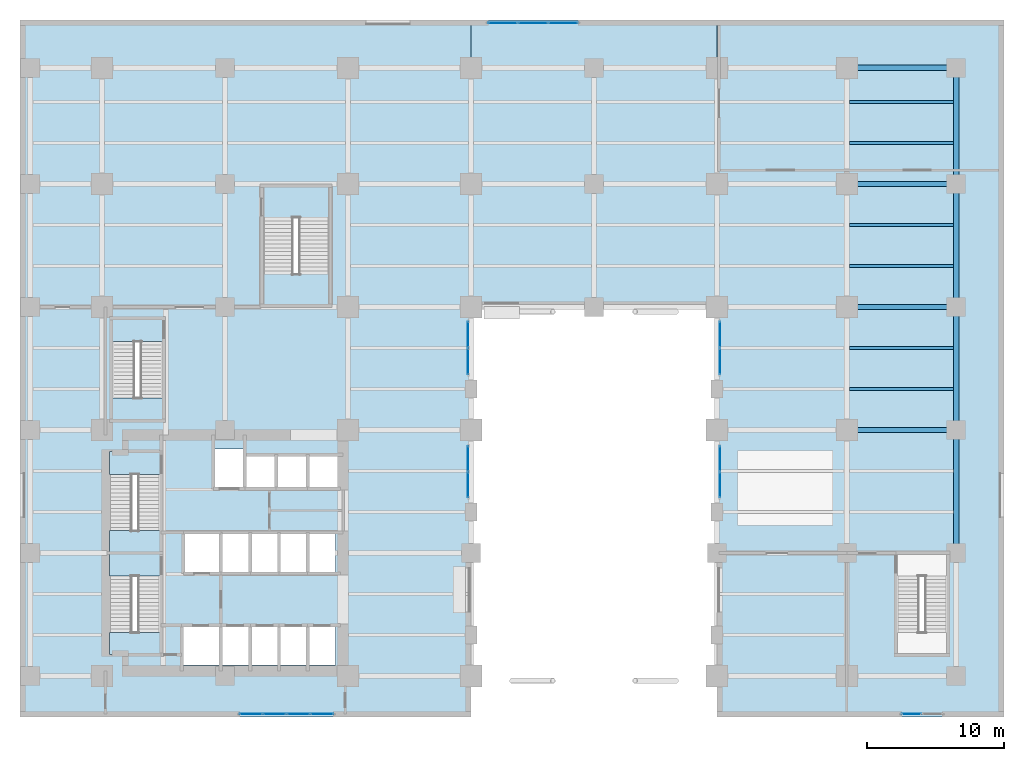
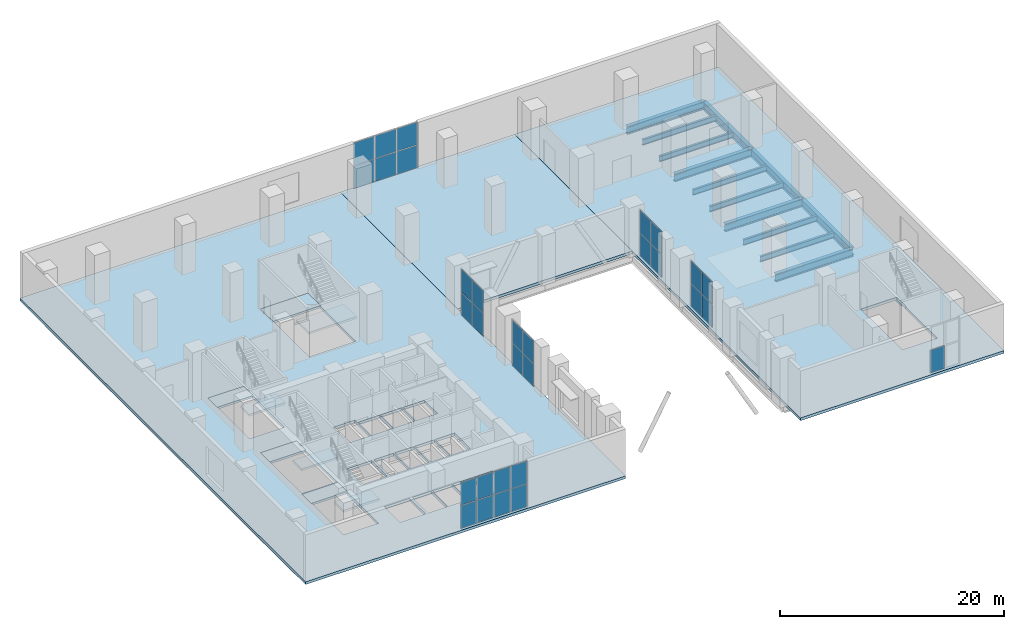
# One storey, part 14 of 20: 31 plates, 14 beams, 11 slabs, 11 elements without a shape of their own.
"""IFC4 building model written with IfcOpenShell, lengths in metres."""

from ifc_helpers import new_model, si_unit, direction, frame, origin, origin_2d, place, context, subcontext, project, spatial, polyline, rectangle, i_section, outline, extrude, material, layer, layer_set, material_profile, profile_set, type_object, element, aggregate, save


model = new_model("IFC4")

# Units and contexts
model_context = context("Model", 3, precision=1e-05, world=origin(), true_north=direction((0.0, 1.0)))
body_context = subcontext(model_context, "Body", "Model", "MODEL_VIEW")
ifc_project = project(units=[si_unit("LENGTHUNIT", "METRE"), si_unit("AREAUNIT", "SQUARE_METRE"), si_unit("VOLUMEUNIT", "CUBIC_METRE"), si_unit("PLANEANGLEUNIT", "RADIAN"), si_unit("MASSUNIT", "GRAM", prefix="KILO")], contexts=[model_context])

# Site, building, storey
site_placement = place(None, origin())
site = spatial("IfcSite", under=ifc_project, at=site_placement, CompositionType="ELEMENT")
building_placement = place(site_placement, origin())
building = spatial("IfcBuilding", under=site, at=building_placement, Name="Mawjdan Bourse Tower", CompositionType="ELEMENT")
storey_placement = place(building_placement, frame((0.0, 0.0, 5.39990234375)))
storey = spatial("IfcBuildingStorey", under=building, at=storey_placement, Name="L01", CompositionType="ELEMENT", Elevation=5.39990234375)

# Beams
ifc_material_1 = material(Name="Structural Steel S355", Category="steel")
ifc_material_profile_1 = material_profile(ifc_material_1, i_section(OverallWidth=0.39892578125, OverallDepth=0.85595703125, WebThickness=0.018310546875, FlangeThickness=0.029296875, FilletRadius=0.0234375, at=origin_2d()), Name="W33X201")
ifc_profile_set_1 = profile_set([ifc_material_profile_1], Name="Structural Steel S355")
beam_type_1 = type_object("IfcBeamType", Name="GRD-W33X201", PredefinedType="BEAM", material=ifc_profile_set_1)
for number, where, z_axis, x_axis, name in (
    (1, (68.5, 12.0, -0.727783203125), (0.0, 1.0, 0.0), (-1.0, 0.0, 0.0), "L01 Podium Primary Girder 037"),
    (2, (68.5, 21.0, -0.727783203125), (0.0, 1.0, 0.0), (-1.0, 0.0, 0.0), "L01 Podium Primary Girder 038"),
    (3, (68.5, 30.0, -0.727783203125), (0.0, 1.0, 0.0), (-1.0, 0.0, 0.0), "L01 Podium Primary Girder 039"),
):
    element("IfcBeam", number, at=place(storey_placement, frame(where, z_axis=z_axis, x_axis=x_axis)), inside=storey, type_object=beam_type_1, Name=name, PredefinedType="BEAM", context=body_context, shape_type="SweptSolid", body=[
        extrude(i_section(OverallWidth=0.39892578125, OverallDepth=0.85595703125, WebThickness=0.018310546875, FlangeThickness=0.029296875, FilletRadius=0.0234375, at=origin_2d()), origin(), (0.0, 0.0, 1.0), 9.0),
    ])
beam_placement = place(storey_placement, frame((68.5, 39.0, -0.727783203125), z_axis=(0.0, 1.0, 0.0), x_axis=(-1.0, 0.0, 0.0)))
element("IfcBeam", 4, at=beam_placement, inside=storey, type_object=beam_type_1, Name="L01 Podium Primary Girder 040", PredefinedType="BEAM", context=body_context, shape_type="SweptSolid", body=[
    extrude(i_section(OverallWidth=0.39892578125, OverallDepth=0.85595703125, WebThickness=0.018310546875, FlangeThickness=0.029296875, FilletRadius=0.0234375, at=origin_2d()), origin(), (0.0, 0.0, 1.0), 8.5),
])
for number, where, z_axis, x_axis, name in (
    (5, (60.5, 21.0, -0.727783203125), (1.0, 0.0, 0.0), (0.0, 1.0, 0.0), "L01 Podium Tie Girder 052"),
    (6, (60.5, 30.0, -0.727783203125), (1.0, 0.0, 0.0), (0.0, 1.0, 0.0), "L01 Podium Tie Girder 060"),
    (7, (60.5, 39.0, -0.727783203125), (1.0, 0.0, 0.0), (0.0, 1.0, 0.0), "L01 Podium Tie Girder 068"),
    (8, (60.5, 47.5, -0.727783203125), (1.0, 0.0, 0.0), (0.0, 1.0, 0.0), "L01 Podium Tie Girder 076"),
):
    element("IfcBeam", number, at=place(storey_placement, frame(where, z_axis=z_axis, x_axis=x_axis)), inside=storey, type_object=beam_type_1, Name=name, PredefinedType="BEAM", context=body_context, shape_type="SweptSolid", body=[
        extrude(i_section(OverallWidth=0.39892578125, OverallDepth=0.85595703125, WebThickness=0.018310546875, FlangeThickness=0.029296875, FilletRadius=0.0234375, at=origin_2d()), origin(), (0.0, 0.0, 1.0), 8.0),
    ])
ifc_material_profile_2 = material_profile(ifc_material_1, i_section(OverallWidth=0.22998046875, OverallDepth=0.616943359375, WebThickness=0.01318359375, FlangeThickness=0.022216796875, FilletRadius=0.017822265625, at=origin_2d()), Name="W24X94")
ifc_profile_set_2 = profile_set([ifc_material_profile_2], Name="Structural Steel S355")
beam_type_2 = type_object("IfcBeamType", Name="JST-W24X94", PredefinedType="JOIST", material=ifc_profile_set_2)
for number, where, z_axis, x_axis, name in (
    (9, (60.697509765625, 24.0, -0.6083984375), (1.0, 0.0, 0.0), (0.0, 1.0, 0.0), "L01 Composite Floor Joist 094"),
    (10, (60.697509765625, 27.0, -0.6083984375), (1.0, 0.0, 0.0), (0.0, 1.0, 0.0), "L01 Composite Floor Joist 098"),
    (11, (60.697509765625, 33.0, -0.6083984375), (1.0, 0.0, 0.0), (0.0, 1.0, 0.0), "L01 Composite Floor Joist 105"),
    (12, (60.697509765625, 36.0, -0.6083984375), (1.0, 0.0, 0.0), (0.0, 1.0, 0.0), "L01 Composite Floor Joist 112"),
    (13, (60.697509765625, 42.0, -0.6083984375), (1.0, 0.0, 0.0), (0.0, 1.0, 0.0), "L01 Composite Floor Joist 120"),
    (14, (60.697509765625, 45.0, -0.6083984375), (1.0, 0.0, 0.0), (0.0, 1.0, 0.0), "L01 Composite Floor Joist 128"),
):
    element("IfcBeam", number, at=place(storey_placement, frame(where, z_axis=z_axis, x_axis=x_axis)), inside=storey, type_object=beam_type_2, Name=name, PredefinedType="JOIST", context=body_context, shape_type="SweptSolid", body=[
        extrude(i_section(OverallWidth=0.22998046875, OverallDepth=0.616943359375, WebThickness=0.01318359375, FlangeThickness=0.022216796875, FilletRadius=0.017822265625, at=origin_2d()), origin(), (0.0, 0.0, 1.0), 7.60498046875),
    ])

# Curtain wall, plates
ifc_material_2 = material(Name="Thermally Broken Aluminium and Solar Glass", Category="aluminium")
ifc_layer_1 = layer(ifc_material_2, 0.219970703125)
ifc_layer_set_1 = layer_set([ifc_layer_1], Name="Thermally Broken Aluminium and Solar Glass")
curtain_wall_type_1 = type_object("IfcCurtainWallType", Name="CW-ARCH", PredefinedType="USERDEFINED", material=ifc_layer_set_1)
curtain_wall_1_placement = place(storey_placement, origin())
curtain_wall_1 = element("IfcCurtainWall", 15, at=curtain_wall_1_placement, inside=storey, type_object=curtain_wall_type_1, Name="L01 Giant Arch West Glazed Wall South", ObjectType="ARCHWAY GLAZED CURTAIN WALL", PredefinedType="USERDEFINED")
ifc_material_3 = material(Name="Low-SHGC Clear Laminated Glass", Category="glass")
ifc_layer_2 = layer(ifc_material_3, 0.0419921875)
ifc_layer_set_2 = layer_set([ifc_layer_2], Name="Low-SHGC Clear Laminated Glass")
plate_type_1 = type_object("IfcPlateType", Name="PNL-CW-ARCH", PredefinedType="CURTAIN_PANEL", material=ifc_layer_set_2)
plate_1_placement = place(storey_placement, frame((32.7900390625, 18.90625, 0.06005859375), z_axis=(0.0, 0.0, 1.0), x_axis=(0.0, -1.0, 0.0)))
plate_1 = element("IfcPlate", 16, at=plate_1_placement, type_object=plate_type_1, Name="CW-ARCH-L01-ARCH-W1 panel 1.1", PredefinedType="CURTAIN_PANEL", context=body_context, shape_type="SweptSolid", body=[
    extrude(rectangle(XDim=1.83740234375, YDim=0.0419921875, at=origin_2d()), origin(), (0.0, 0.0, 1.0), 2.4599609375),
])
plate_2_placement = place(storey_placement, frame((32.7900390625, 18.90625, 2.580078125), z_axis=(0.0, 0.0, 1.0), x_axis=(0.0, -1.0, 0.0)))
plate_2 = element("IfcPlate", 17, at=plate_2_placement, type_object=plate_type_1, Name="CW-ARCH-L01-ARCH-W1 panel 1.2", PredefinedType="CURTAIN_PANEL", context=body_context, shape_type="SweptSolid", body=[
    extrude(rectangle(XDim=1.83740234375, YDim=0.0419921875, at=origin_2d()), origin(), (0.0, 0.0, 1.0), 2.4599609375),
])
plate_3_placement = place(storey_placement, frame((32.7900390625, 16.99365234375, 0.06005859375), z_axis=(0.0, 0.0, 1.0), x_axis=(0.0, -1.0, 0.0)))
plate_3 = element("IfcPlate", 18, at=plate_3_placement, type_object=plate_type_1, Name="CW-ARCH-L01-ARCH-W1 panel 2.1", PredefinedType="CURTAIN_PANEL", context=body_context, shape_type="SweptSolid", body=[
    extrude(rectangle(XDim=1.83740234375, YDim=0.0419921875, at=origin_2d()), origin(), (0.0, 0.0, 1.0), 2.4599609375),
])
plate_4_placement = place(storey_placement, frame((32.7900390625, 16.99365234375, 2.580078125), z_axis=(0.0, 0.0, 1.0), x_axis=(0.0, -1.0, 0.0)))
plate_4 = element("IfcPlate", 19, at=plate_4_placement, type_object=plate_type_1, Name="CW-ARCH-L01-ARCH-W1 panel 2.2", PredefinedType="CURTAIN_PANEL", context=body_context, shape_type="SweptSolid", body=[
    extrude(rectangle(XDim=1.83740234375, YDim=0.0419921875, at=origin_2d()), origin(), (0.0, 0.0, 1.0), 2.4599609375),
])
aggregate(curtain_wall_1, [plate_1, plate_2, plate_3, plate_4])

curtain_wall_2_placement = place(storey_placement, origin())
curtain_wall_2 = element("IfcCurtainWall", 20, at=curtain_wall_2_placement, inside=storey, type_object=curtain_wall_type_1, Name="L01 Giant Arch West Glazed Wall North", ObjectType="ARCHWAY GLAZED CURTAIN WALL", PredefinedType="USERDEFINED")
plate_5_placement = place(storey_placement, frame((32.7900390625, 27.981201171875, 0.06005859375), z_axis=(0.0, 0.0, 1.0), x_axis=(0.0, -1.0, 0.0)))
plate_5 = element("IfcPlate", 21, at=plate_5_placement, type_object=plate_type_1, Name="CW-ARCH-L01-ARCH-W2 panel 1.1", PredefinedType="CURTAIN_PANEL", context=body_context, shape_type="SweptSolid", body=[
    extrude(rectangle(XDim=1.887451171875, YDim=0.0419921875, at=origin_2d()), origin(), (0.0, 0.0, 1.0), 2.4599609375),
])
plate_6_placement = place(storey_placement, frame((32.7900390625, 27.981201171875, 2.580078125), z_axis=(0.0, 0.0, 1.0), x_axis=(0.0, -1.0, 0.0)))
plate_6 = element("IfcPlate", 22, at=plate_6_placement, type_object=plate_type_1, Name="CW-ARCH-L01-ARCH-W2 panel 1.2", PredefinedType="CURTAIN_PANEL", context=body_context, shape_type="SweptSolid", body=[
    extrude(rectangle(XDim=1.887451171875, YDim=0.0419921875, at=origin_2d()), origin(), (0.0, 0.0, 1.0), 2.4599609375),
])
plate_7_placement = place(storey_placement, frame((32.7900390625, 26.018798828125, 0.06005859375), z_axis=(0.0, 0.0, 1.0), x_axis=(0.0, -1.0, 0.0)))
plate_7 = element("IfcPlate", 23, at=plate_7_placement, type_object=plate_type_1, Name="CW-ARCH-L01-ARCH-W2 panel 2.1", PredefinedType="CURTAIN_PANEL", context=body_context, shape_type="SweptSolid", body=[
    extrude(rectangle(XDim=1.887451171875, YDim=0.0419921875, at=origin_2d()), origin(), (0.0, 0.0, 1.0), 2.4599609375),
])
plate_8_placement = place(storey_placement, frame((32.7900390625, 26.018798828125, 2.580078125), z_axis=(0.0, 0.0, 1.0), x_axis=(0.0, -1.0, 0.0)))
plate_8 = element("IfcPlate", 24, at=plate_8_placement, type_object=plate_type_1, Name="CW-ARCH-L01-ARCH-W2 panel 2.2", PredefinedType="CURTAIN_PANEL", context=body_context, shape_type="SweptSolid", body=[
    extrude(rectangle(XDim=1.887451171875, YDim=0.0419921875, at=origin_2d()), origin(), (0.0, 0.0, 1.0), 2.4599609375),
])
aggregate(curtain_wall_2, [plate_5, plate_6, plate_7, plate_8])

curtain_wall_3_placement = place(storey_placement, origin())
curtain_wall_3 = element("IfcCurtainWall", 25, at=curtain_wall_3_placement, inside=storey, type_object=curtain_wall_type_1, Name="L01 Giant Arch East Glazed Wall South", ObjectType="ARCHWAY GLAZED CURTAIN WALL", PredefinedType="USERDEFINED")
plate_9_placement = place(storey_placement, frame((51.2099609375, 16.99365234375, 0.06005859375), z_axis=(0.0, 0.0, 1.0), x_axis=(0.0, 1.0, 0.0)))
plate_9 = element("IfcPlate", 26, at=plate_9_placement, type_object=plate_type_1, Name="CW-ARCH-L01-ARCH-E1 panel 1.1", PredefinedType="CURTAIN_PANEL", context=body_context, shape_type="SweptSolid", body=[
    extrude(rectangle(XDim=1.83740234375, YDim=0.0419921875, at=origin_2d()), origin(), (0.0, 0.0, 1.0), 2.4599609375),
])
plate_10_placement = place(storey_placement, frame((51.2099609375, 16.99365234375, 2.580078125), z_axis=(0.0, 0.0, 1.0), x_axis=(0.0, 1.0, 0.0)))
plate_10 = element("IfcPlate", 27, at=plate_10_placement, type_object=plate_type_1, Name="CW-ARCH-L01-ARCH-E1 panel 1.2", PredefinedType="CURTAIN_PANEL", context=body_context, shape_type="SweptSolid", body=[
    extrude(rectangle(XDim=1.83740234375, YDim=0.0419921875, at=origin_2d()), origin(), (0.0, 0.0, 1.0), 2.4599609375),
])
plate_11_placement = place(storey_placement, frame((51.2099609375, 18.90625, 0.06005859375), z_axis=(0.0, 0.0, 1.0), x_axis=(0.0, 1.0, 0.0)))
plate_11 = element("IfcPlate", 28, at=plate_11_placement, type_object=plate_type_1, Name="CW-ARCH-L01-ARCH-E1 panel 2.1", PredefinedType="CURTAIN_PANEL", context=body_context, shape_type="SweptSolid", body=[
    extrude(rectangle(XDim=1.83740234375, YDim=0.0419921875, at=origin_2d()), origin(), (0.0, 0.0, 1.0), 2.4599609375),
])
plate_12_placement = place(storey_placement, frame((51.2099609375, 18.90625, 2.580078125), z_axis=(0.0, 0.0, 1.0), x_axis=(0.0, 1.0, 0.0)))
plate_12 = element("IfcPlate", 29, at=plate_12_placement, type_object=plate_type_1, Name="CW-ARCH-L01-ARCH-E1 panel 2.2", PredefinedType="CURTAIN_PANEL", context=body_context, shape_type="SweptSolid", body=[
    extrude(rectangle(XDim=1.83740234375, YDim=0.0419921875, at=origin_2d()), origin(), (0.0, 0.0, 1.0), 2.4599609375),
])
aggregate(curtain_wall_3, [plate_9, plate_10, plate_11, plate_12])

curtain_wall_4_placement = place(storey_placement, origin())
curtain_wall_4 = element("IfcCurtainWall", 30, at=curtain_wall_4_placement, inside=storey, type_object=curtain_wall_type_1, Name="L01 Giant Arch East Glazed Wall North", ObjectType="ARCHWAY GLAZED CURTAIN WALL", PredefinedType="USERDEFINED")
plate_13_placement = place(storey_placement, frame((51.2099609375, 26.018798828125, 0.06005859375), z_axis=(0.0, 0.0, 1.0), x_axis=(0.0, 1.0, 0.0)))
plate_13 = element("IfcPlate", 31, at=plate_13_placement, type_object=plate_type_1, Name="CW-ARCH-L01-ARCH-E2 panel 1.1", PredefinedType="CURTAIN_PANEL", context=body_context, shape_type="SweptSolid", body=[
    extrude(rectangle(XDim=1.887451171875, YDim=0.0419921875, at=origin_2d()), origin(), (0.0, 0.0, 1.0), 2.4599609375),
])
plate_14_placement = place(storey_placement, frame((51.2099609375, 26.018798828125, 2.580078125), z_axis=(0.0, 0.0, 1.0), x_axis=(0.0, 1.0, 0.0)))
plate_14 = element("IfcPlate", 32, at=plate_14_placement, type_object=plate_type_1, Name="CW-ARCH-L01-ARCH-E2 panel 1.2", PredefinedType="CURTAIN_PANEL", context=body_context, shape_type="SweptSolid", body=[
    extrude(rectangle(XDim=1.887451171875, YDim=0.0419921875, at=origin_2d()), origin(), (0.0, 0.0, 1.0), 2.4599609375),
])
plate_15_placement = place(storey_placement, frame((51.2099609375, 27.981201171875, 0.06005859375), z_axis=(0.0, 0.0, 1.0), x_axis=(0.0, 1.0, 0.0)))
plate_15 = element("IfcPlate", 33, at=plate_15_placement, type_object=plate_type_1, Name="CW-ARCH-L01-ARCH-E2 panel 2.1", PredefinedType="CURTAIN_PANEL", context=body_context, shape_type="SweptSolid", body=[
    extrude(rectangle(XDim=1.887451171875, YDim=0.0419921875, at=origin_2d()), origin(), (0.0, 0.0, 1.0), 2.4599609375),
])
plate_16_placement = place(storey_placement, frame((51.2099609375, 27.981201171875, 2.580078125), z_axis=(0.0, 0.0, 1.0), x_axis=(0.0, 1.0, 0.0)))
plate_16 = element("IfcPlate", 34, at=plate_16_placement, type_object=plate_type_1, Name="CW-ARCH-L01-ARCH-E2 panel 2.2", PredefinedType="CURTAIN_PANEL", context=body_context, shape_type="SweptSolid", body=[
    extrude(rectangle(XDim=1.887451171875, YDim=0.0419921875, at=origin_2d()), origin(), (0.0, 0.0, 1.0), 2.4599609375),
])
aggregate(curtain_wall_4, [plate_13, plate_14, plate_15, plate_16])

ifc_layer_3 = layer(ifc_material_2, 0.219970703125)
ifc_layer_set_3 = layer_set([ifc_layer_3], Name="Thermally Broken Aluminium and Solar Glass")
curtain_wall_type_2 = type_object("IfcCurtainWallType", Name="CW-ENT", PredefinedType="USERDEFINED", material=ifc_layer_set_3)
curtain_wall_5_placement = place(storey_placement, origin())
curtain_wall_5 = element("IfcCurtainWall", 35, at=curtain_wall_5_placement, inside=storey, type_object=curtain_wall_type_2, Name="L01 South-West Foyer Upper Curtain Wall", ObjectType="FOYER ENTRANCE CURTAIN WALL", PredefinedType="USERDEFINED")
ifc_layer_4 = layer(ifc_material_3, 0.0380859375)
ifc_layer_set_4 = layer_set([ifc_layer_4], Name="Low-SHGC Clear Laminated Glass")
plate_type_2 = type_object("IfcPlateType", Name="PNL-CW-ENT", PredefinedType="CURTAIN_PANEL", material=ifc_layer_set_4)
plate_17_placement = place(storey_placement, frame((16.893798828125, 0.2099609375, 0.06005859375), z_axis=(0.0, 0.0, 1.0), x_axis=(1.0, 0.0, 0.0)))
plate_17 = element("IfcPlate", 36, at=plate_17_placement, type_object=plate_type_2, Name="CW-ENT-L01-ENT-SW panel 1.1", PredefinedType="CURTAIN_PANEL", context=body_context, shape_type="SweptSolid", body=[
    extrude(rectangle(XDim=1.637451171875, YDim=0.0380859375, at=origin_2d()), origin(), (0.0, 0.0, 1.0), 2.4599609375),
])
plate_18_placement = place(storey_placement, frame((16.893798828125, 0.2099609375, 2.580078125), z_axis=(0.0, 0.0, 1.0), x_axis=(1.0, 0.0, 0.0)))
plate_18 = element("IfcPlate", 37, at=plate_18_placement, type_object=plate_type_2, Name="CW-ENT-L01-ENT-SW panel 1.2", PredefinedType="CURTAIN_PANEL", context=body_context, shape_type="SweptSolid", body=[
    extrude(rectangle(XDim=1.637451171875, YDim=0.0380859375, at=origin_2d()), origin(), (0.0, 0.0, 1.0), 2.4599609375),
])
plate_19_placement = place(storey_placement, frame((18.625, 0.2099609375, 0.06005859375), z_axis=(0.0, 0.0, 1.0), x_axis=(1.0, 0.0, 0.0)))
plate_19 = element("IfcPlate", 38, at=plate_19_placement, type_object=plate_type_2, Name="CW-ENT-L01-ENT-SW panel 2.1", PredefinedType="CURTAIN_PANEL", context=body_context, shape_type="SweptSolid", body=[
    extrude(rectangle(XDim=1.675048828125, YDim=0.0380859375, at=origin_2d()), origin(), (0.0, 0.0, 1.0), 2.4599609375),
])
plate_20_placement = place(storey_placement, frame((18.625, 0.2099609375, 2.580078125), z_axis=(0.0, 0.0, 1.0), x_axis=(1.0, 0.0, 0.0)))
plate_20 = element("IfcPlate", 39, at=plate_20_placement, type_object=plate_type_2, Name="CW-ENT-L01-ENT-SW panel 2.2", PredefinedType="CURTAIN_PANEL", context=body_context, shape_type="SweptSolid", body=[
    extrude(rectangle(XDim=1.675048828125, YDim=0.0380859375, at=origin_2d()), origin(), (0.0, 0.0, 1.0), 2.4599609375),
])
plate_21_placement = place(storey_placement, frame((20.375, 0.2099609375, 0.06005859375), z_axis=(0.0, 0.0, 1.0), x_axis=(1.0, 0.0, 0.0)))
plate_21 = element("IfcPlate", 40, at=plate_21_placement, type_object=plate_type_2, Name="CW-ENT-L01-ENT-SW panel 3.1", PredefinedType="CURTAIN_PANEL", context=body_context, shape_type="SweptSolid", body=[
    extrude(rectangle(XDim=1.675048828125, YDim=0.0380859375, at=origin_2d()), origin(), (0.0, 0.0, 1.0), 2.4599609375),
])
plate_22_placement = place(storey_placement, frame((20.375, 0.2099609375, 2.580078125), z_axis=(0.0, 0.0, 1.0), x_axis=(1.0, 0.0, 0.0)))
plate_22 = element("IfcPlate", 41, at=plate_22_placement, type_object=plate_type_2, Name="CW-ENT-L01-ENT-SW panel 3.2", PredefinedType="CURTAIN_PANEL", context=body_context, shape_type="SweptSolid", body=[
    extrude(rectangle(XDim=1.675048828125, YDim=0.0380859375, at=origin_2d()), origin(), (0.0, 0.0, 1.0), 2.4599609375),
])
plate_23_placement = place(storey_placement, frame((22.106201171875, 0.2099609375, 0.06005859375), z_axis=(0.0, 0.0, 1.0), x_axis=(1.0, 0.0, 0.0)))
plate_23 = element("IfcPlate", 42, at=plate_23_placement, type_object=plate_type_2, Name="CW-ENT-L01-ENT-SW panel 4.1", PredefinedType="CURTAIN_PANEL", context=body_context, shape_type="SweptSolid", body=[
    extrude(rectangle(XDim=1.637451171875, YDim=0.0380859375, at=origin_2d()), origin(), (0.0, 0.0, 1.0), 2.4599609375),
])
plate_24_placement = place(storey_placement, frame((22.106201171875, 0.2099609375, 2.580078125), z_axis=(0.0, 0.0, 1.0), x_axis=(1.0, 0.0, 0.0)))
plate_24 = element("IfcPlate", 43, at=plate_24_placement, type_object=plate_type_2, Name="CW-ENT-L01-ENT-SW panel 4.2", PredefinedType="CURTAIN_PANEL", context=body_context, shape_type="SweptSolid", body=[
    extrude(rectangle(XDim=1.637451171875, YDim=0.0380859375, at=origin_2d()), origin(), (0.0, 0.0, 1.0), 2.4599609375),
])
aggregate(curtain_wall_5, [plate_17, plate_18, plate_19, plate_20, plate_21, plate_22, plate_23, plate_24])

# Curtain wall, plate
curtain_wall_6_placement = place(storey_placement, origin())
curtain_wall_6 = element("IfcCurtainWall", 44, at=curtain_wall_6_placement, inside=storey, type_object=curtain_wall_type_2, Name="L01 South-East Foyer Upper Curtain Wall", ObjectType="FOYER ENTRANCE CURTAIN WALL", PredefinedType="USERDEFINED")
plate_25_placement = place(storey_placement, frame((65.24365234375, 0.2099609375, 0.06005859375), z_axis=(0.0, 0.0, 1.0), x_axis=(1.0, 0.0, 0.0)))
plate_25 = element("IfcPlate", 45, at=plate_25_placement, type_object=plate_type_2, Name="CW-ENT-L01-ENT-SE panel 1.1", PredefinedType="CURTAIN_PANEL", context=body_context, shape_type="SweptSolid", body=[
    extrude(rectangle(XDim=1.4375, YDim=0.0380859375, at=origin_2d()), origin(), (0.0, 0.0, 1.0), 2.4599609375),
])
aggregate(curtain_wall_6, [plate_25])

# Curtain wall, plates
curtain_wall_7_placement = place(storey_placement, origin())
curtain_wall_7 = element("IfcCurtainWall", 46, at=curtain_wall_7_placement, inside=storey, type_object=curtain_wall_type_2, Name="L01 North Boulevard Upper Curtain Wall", ObjectType="FOYER ENTRANCE CURTAIN WALL", PredefinedType="USERDEFINED")
plate_26_placement = place(storey_placement, frame((35.33544921875, 50.7900390625, 0.06005859375), z_axis=(0.0, 0.0, 1.0), x_axis=(1.0, 0.0, 0.0)))
plate_26 = element("IfcPlate", 47, at=plate_26_placement, type_object=plate_type_2, Name="CW-ENT-L01-ENT-NB panel 1.1", PredefinedType="CURTAIN_PANEL", context=body_context, shape_type="SweptSolid", body=[
    extrude(rectangle(XDim=2.120849609375, YDim=0.0380859375, at=origin_2d()), origin(), (0.0, 0.0, 1.0), 2.4599609375),
])
plate_27_placement = place(storey_placement, frame((35.33544921875, 50.7900390625, 2.580078125), z_axis=(0.0, 0.0, 1.0), x_axis=(1.0, 0.0, 0.0)))
plate_27 = element("IfcPlate", 48, at=plate_27_placement, type_object=plate_type_2, Name="CW-ENT-L01-ENT-NB panel 1.2", PredefinedType="CURTAIN_PANEL", context=body_context, shape_type="SweptSolid", body=[
    extrude(rectangle(XDim=2.120849609375, YDim=0.0380859375, at=origin_2d()), origin(), (0.0, 0.0, 1.0), 2.4599609375),
])
plate_28_placement = place(storey_placement, frame((37.550048828125, 50.7900390625, 0.06005859375), z_axis=(0.0, 0.0, 1.0), x_axis=(1.0, 0.0, 0.0)))
plate_28 = element("IfcPlate", 49, at=plate_28_placement, type_object=plate_type_2, Name="CW-ENT-L01-ENT-NB panel 2.1", PredefinedType="CURTAIN_PANEL", context=body_context, shape_type="SweptSolid", body=[
    extrude(rectangle(XDim=2.158447265625, YDim=0.0380859375, at=origin_2d()), origin(), (0.0, 0.0, 1.0), 2.4599609375),
])
plate_29_placement = place(storey_placement, frame((37.550048828125, 50.7900390625, 2.580078125), z_axis=(0.0, 0.0, 1.0), x_axis=(1.0, 0.0, 0.0)))
plate_29 = element("IfcPlate", 50, at=plate_29_placement, type_object=plate_type_2, Name="CW-ENT-L01-ENT-NB panel 2.2", PredefinedType="CURTAIN_PANEL", context=body_context, shape_type="SweptSolid", body=[
    extrude(rectangle(XDim=2.158447265625, YDim=0.0380859375, at=origin_2d()), origin(), (0.0, 0.0, 1.0), 2.4599609375),
])
plate_30_placement = place(storey_placement, frame((39.7646484375, 50.7900390625, 0.06005859375), z_axis=(0.0, 0.0, 1.0), x_axis=(1.0, 0.0, 0.0)))
plate_30 = element("IfcPlate", 51, at=plate_30_placement, type_object=plate_type_2, Name="CW-ENT-L01-ENT-NB panel 3.1", PredefinedType="CURTAIN_PANEL", context=body_context, shape_type="SweptSolid", body=[
    extrude(rectangle(XDim=2.120849609375, YDim=0.0380859375, at=origin_2d()), origin(), (0.0, 0.0, 1.0), 2.4599609375),
])
plate_31_placement = place(storey_placement, frame((39.7646484375, 50.7900390625, 2.580078125), z_axis=(0.0, 0.0, 1.0), x_axis=(1.0, 0.0, 0.0)))
plate_31 = element("IfcPlate", 52, at=plate_31_placement, type_object=plate_type_2, Name="CW-ENT-L01-ENT-NB panel 3.2", PredefinedType="CURTAIN_PANEL", context=body_context, shape_type="SweptSolid", body=[
    extrude(rectangle(XDim=2.120849609375, YDim=0.0380859375, at=origin_2d()), origin(), (0.0, 0.0, 1.0), 2.4599609375),
])
aggregate(curtain_wall_7, [plate_26, plate_27, plate_28, plate_29, plate_30, plate_31])

# Stair, slabs
ifc_material_4 = material(Name="Concrete C50/60", Category="concrete")
stair_type_1 = type_object("IfcStairType", Name="STR-CORE-1500", PredefinedType="HALF_TURN_STAIR", material=ifc_material_4)
stair_1_placement = place(storey_placement, origin())
stair_1 = element("IfcStair", 53, at=stair_1_placement, inside=storey, type_object=stair_type_1, Name="L01 Exit Stair 1 (Core South-West)", PredefinedType="HALF_TURN_STAIR")
ifc_layer_5 = layer(ifc_material_4, 0.22998046875)
ifc_layer_set_5 = layer_set([ifc_layer_5], Name="Concrete C50/60")
slab_type_1 = type_object("IfcSlabType", Name="SL-LND-230", PredefinedType="LANDING", material=ifc_layer_set_5)
slab_1_placement = place(storey_placement, frame((0.0, 0.0, -0.22998046875)))
slab_1 = element("IfcSlab", 54, at=slab_1_placement, type_object=slab_type_1, Name="ST1-L01 landing 1", PredefinedType="LANDING", context=body_context, shape_type="SweptSolid", body=[
    extrude(outline(polyline([(6.5400390625, 10.31005859375), (10.260009765625, 10.31005859375), (10.260009765625, 11.969970703125), (6.5400390625, 11.969970703125), (6.5400390625, 10.31005859375)])), origin(), (0.0, 0.0, 1.0), 0.22998046875),
])
slab_2_placement = place(storey_placement, frame((0.0, 0.0, 2.47021484375)))
slab_2 = element("IfcSlab", 55, at=slab_2_placement, type_object=slab_type_1, Name="ST1-L01 landing 2", PredefinedType="LANDING", context=body_context, shape_type="SweptSolid", body=[
    extrude(outline(polyline([(6.5400390625, 4.590087890625), (10.260009765625, 4.590087890625), (10.260009765625, 6.18994140625), (6.5400390625, 6.18994140625), (6.5400390625, 4.590087890625)])), origin(), (0.0, 0.0, 1.0), 0.22998046875),
])
aggregate(stair_1, [slab_1, slab_2])

stair_2_placement = place(storey_placement, origin())
stair_2 = element("IfcStair", 56, at=stair_2_placement, inside=storey, type_object=stair_type_1, Name="L01 Exit Stair 2 (Core North-West)", PredefinedType="HALF_TURN_STAIR")
slab_3_placement = place(storey_placement, frame((0.0, 0.0, -0.22998046875)))
slab_3 = element("IfcSlab", 57, at=slab_3_placement, type_object=slab_type_1, Name="ST2-L01 landing 1", PredefinedType="LANDING", context=body_context, shape_type="SweptSolid", body=[
    extrude(outline(polyline([(6.5400390625, 17.75), (10.260009765625, 17.75), (10.260009765625, 19.409912109375), (6.5400390625, 19.409912109375), (6.5400390625, 17.75)])), origin(), (0.0, 0.0, 1.0), 0.22998046875),
])
slab_4_placement = place(storey_placement, frame((0.0, 0.0, 2.47021484375)))
slab_4 = element("IfcSlab", 58, at=slab_4_placement, type_object=slab_type_1, Name="ST2-L01 landing 2", PredefinedType="LANDING", context=body_context, shape_type="SweptSolid", body=[
    extrude(outline(polyline([(6.5400390625, 12.030029296875), (10.260009765625, 12.030029296875), (10.260009765625, 13.6298828125), (6.5400390625, 13.6298828125), (6.5400390625, 12.030029296875)])), origin(), (0.0, 0.0, 1.0), 0.22998046875),
])
aggregate(stair_2, [slab_3, slab_4])

stair_3_placement = place(storey_placement, origin())
stair_3 = element("IfcStair", 59, at=stair_3_placement, inside=storey, type_object=stair_type_1, Name="L01 Exit Stair 3 (North Wing)", PredefinedType="HALF_TURN_STAIR")
slab_5_placement = place(storey_placement, frame((0.0, 0.0, -0.22998046875)))
slab_5 = element("IfcSlab", 60, at=slab_5_placement, type_object=slab_type_1, Name="ST3-L01 landing 1", PredefinedType="LANDING", context=body_context, shape_type="SweptSolid", body=[
    extrude(outline(polyline([(6.739990234375, 27.4599609375), (10.4599609375, 27.4599609375), (10.4599609375, 29.1201171875), (6.739990234375, 29.1201171875), (6.739990234375, 27.4599609375)])), origin(), (0.0, 0.0, 1.0), 0.22998046875),
])
slab_6_placement = place(storey_placement, frame((0.0, 0.0, 2.47021484375)))
slab_6 = element("IfcSlab", 61, at=slab_6_placement, type_object=slab_type_1, Name="ST3-L01 landing 2", PredefinedType="LANDING", context=body_context, shape_type="SweptSolid", body=[
    extrude(outline(polyline([(6.739990234375, 21.739990234375), (10.4599609375, 21.739990234375), (10.4599609375, 23.340087890625), (6.739990234375, 23.340087890625), (6.739990234375, 21.739990234375)])), origin(), (0.0, 0.0, 1.0), 0.22998046875),
])
aggregate(stair_3, [slab_5, slab_6])

ifc_material_5 = material(Name="Concrete C50/60 precast", Category="concrete")
stair_type_2 = type_object("IfcStairType", Name="STR-CER-1800", PredefinedType="TWO_STRAIGHT_RUN_STAIR", material=ifc_material_5)
stair_4_placement = place(storey_placement, origin())
stair_4 = element("IfcStair", 62, at=stair_4_placement, inside=storey, type_object=stair_type_2, Name="L01 Exchange Hall Ceremonial Stair", PredefinedType="TWO_STRAIGHT_RUN_STAIR")
slab_7_placement = place(storey_placement, frame((0.0, 0.0, -0.22998046875)))
slab_7 = element("IfcSlab", 63, at=slab_7_placement, type_object=slab_type_1, Name="ST4-L01 landing 1", PredefinedType="LANDING", context=body_context, shape_type="SweptSolid", body=[
    extrude(outline(polyline([(17.739990234375, 36.550048828125), (22.659912109375, 36.550048828125), (22.659912109375, 38.81005859375), (17.739990234375, 38.81005859375), (17.739990234375, 36.550048828125)])), origin(), (0.0, 0.0, 1.0), 0.22998046875),
])
slab_8_placement = place(storey_placement, frame((0.0, 0.0, 2.47021484375)))
slab_8 = element("IfcSlab", 64, at=slab_8_placement, type_object=slab_type_1, Name="ST4-L01 landing 2", PredefinedType="LANDING", context=body_context, shape_type="SweptSolid", body=[
    extrude(outline(polyline([(17.739990234375, 30.139892578125), (22.659912109375, 30.139892578125), (22.659912109375, 32.39990234375), (17.739990234375, 32.39990234375), (17.739990234375, 30.139892578125)])), origin(), (0.0, 0.0, 1.0), 0.22998046875),
])
aggregate(stair_4, [slab_7, slab_8])

# Slabs
ifc_layer_6 = layer(ifc_material_4, 0.300048828125)
ifc_layer_set_6 = layer_set([ifc_layer_6], Name="Concrete C50/60")
slab_type_2 = type_object("IfcSlabType", Name="SL-POD-300", PredefinedType="FLOOR", material=ifc_layer_set_6)
slab_9_placement = place(storey_placement, frame((0.0, 0.0, -0.2998046875)))
element("IfcSlab", 65, at=slab_9_placement, inside=storey, type_object=slab_type_2, Name="L01 Structural Floor Slab 1", PredefinedType="FLOOR", context=body_context, shape_type="SweptSolid", body=[
    extrude(outline(polyline([(0.0, 0.0), (33.0, 0.0), (33.0, 51.0), (0.0, 51.0), (0.0, 0.0)]), holes=[polyline([(11.949951171875, 3.800048828125), (11.949951171875, 6.60009765625), (14.550048828125, 6.60009765625), (14.550048828125, 3.800048828125), (11.949951171875, 3.800048828125)]), polyline([(14.800048828125, 3.800048828125), (14.800048828125, 6.60009765625), (16.800048828125, 6.60009765625), (16.800048828125, 3.800048828125), (14.800048828125, 3.800048828125)]), polyline([(10.260009765625, 11.969970703125), (10.260009765625, 10.31005859375), (10.199951171875, 10.31005859375), (10.199951171875, 4.64990234375), (6.60009765625, 4.64990234375), (6.60009765625, 10.31005859375), (6.5400390625, 10.31005859375), (6.5400390625, 11.969970703125), (10.260009765625, 11.969970703125)]), polyline([(12.050048828125, 13.39990234375), (14.550048828125, 13.39990234375), (14.550048828125, 10.60009765625), (12.050048828125, 10.60009765625), (12.050048828125, 13.39990234375)]), polyline([(14.800048828125, 10.60009765625), (14.800048828125, 13.39990234375), (16.800048828125, 13.39990234375), (16.800048828125, 10.60009765625), (14.800048828125, 10.60009765625)]), polyline([(6.60009765625, 17.75), (6.5400390625, 17.75), (6.5400390625, 19.409912109375), (10.260009765625, 19.409912109375), (10.260009765625, 17.75), (10.199951171875, 17.75), (10.199951171875, 12.090087890625), (6.60009765625, 12.090087890625), (6.60009765625, 17.75)]), polyline([(14.199951171875, 19.60009765625), (16.39990234375, 19.60009765625), (16.39990234375, 16.800048828125), (14.199951171875, 16.800048828125), (14.199951171875, 19.60009765625)]), polyline([(10.4599609375, 27.4599609375), (10.39990234375, 27.4599609375), (10.39990234375, 21.800048828125), (6.800048828125, 21.800048828125), (6.800048828125, 27.4599609375), (6.739990234375, 27.4599609375), (6.739990234375, 29.1201171875), (10.4599609375, 29.1201171875), (10.4599609375, 27.4599609375)]), polyline([(16.89990234375, 3.800048828125), (16.89990234375, 6.60009765625), (18.89990234375, 6.60009765625), (18.89990234375, 3.800048828125), (16.89990234375, 3.800048828125)]), polyline([(19.0, 3.800048828125), (19.0, 6.60009765625), (21.0, 6.60009765625), (21.0, 3.800048828125), (19.0, 3.800048828125)]), polyline([(21.10009765625, 3.800048828125), (21.10009765625, 6.60009765625), (23.10009765625, 6.60009765625), (23.10009765625, 3.800048828125), (21.10009765625, 3.800048828125)]), polyline([(16.89990234375, 13.39990234375), (18.89990234375, 13.39990234375), (18.89990234375, 10.60009765625), (16.89990234375, 10.60009765625), (16.89990234375, 13.39990234375)]), polyline([(19.0, 13.39990234375), (21.0, 13.39990234375), (21.0, 10.60009765625), (19.0, 10.60009765625), (19.0, 13.39990234375)]), polyline([(21.10009765625, 10.60009765625), (21.10009765625, 13.39990234375), (23.10009765625, 13.39990234375), (23.10009765625, 10.60009765625), (21.10009765625, 10.60009765625)]), polyline([(16.5, 19.14990234375), (18.699951171875, 19.14990234375), (18.699951171875, 16.800048828125), (16.5, 16.800048828125), (16.5, 19.14990234375)]), polyline([(18.800048828125, 19.14990234375), (21.0, 19.14990234375), (21.0, 16.800048828125), (18.800048828125, 16.800048828125), (18.800048828125, 19.14990234375)]), polyline([(21.10009765625, 16.800048828125), (21.10009765625, 19.14990234375), (23.300048828125, 19.14990234375), (23.300048828125, 16.800048828125), (21.10009765625, 16.800048828125)]), polyline([(22.659912109375, 36.550048828125), (22.60009765625, 36.550048828125), (22.60009765625, 30.199951171875), (17.800048828125, 30.199951171875), (17.800048828125, 36.550048828125), (17.739990234375, 36.550048828125), (17.739990234375, 38.81005859375), (22.659912109375, 38.81005859375), (22.659912109375, 36.550048828125)])]), origin(), (0.0, 0.0, 1.0), 0.2998046875),
])
slab_10_placement = place(storey_placement, frame((0.0, 0.0, -0.2998046875)))
element("IfcSlab", 66, at=slab_10_placement, inside=storey, type_object=slab_type_2, Name="L01 Structural Floor Slab 2", PredefinedType="FLOOR", context=body_context, shape_type="SweptSolid", body=[
    extrude(outline(polyline([(51.0, 0.0), (72.0, 0.0), (72.0, 51.0), (51.0, 51.0), (51.0, 0.0)]), holes=[polyline([(64.199951171875, 10.31005859375), (64.139892578125, 10.31005859375), (64.139892578125, 11.969970703125), (67.860107421875, 11.969970703125), (67.860107421875, 10.31005859375), (67.800048828125, 10.31005859375), (67.800048828125, 4.64990234375), (64.199951171875, 4.64990234375), (64.199951171875, 10.31005859375)])]), origin(), (0.0, 0.0, 1.0), 0.2998046875),
])
slab_11_placement = place(storey_placement, frame((0.0, 0.0, -0.2998046875)))
element("IfcSlab", 67, at=slab_11_placement, inside=storey, type_object=slab_type_2, Name="L01 Structural Floor Slab 3", PredefinedType="FLOOR", context=body_context, shape_type="SweptSolid", body=[
    extrude(outline(polyline([(33.0, 30.0), (51.0, 30.0), (51.0, 51.0), (33.0, 51.0), (33.0, 30.0)])), origin(), (0.0, 0.0, 1.0), 0.2998046875),
])

save(model, "model.ifc")
